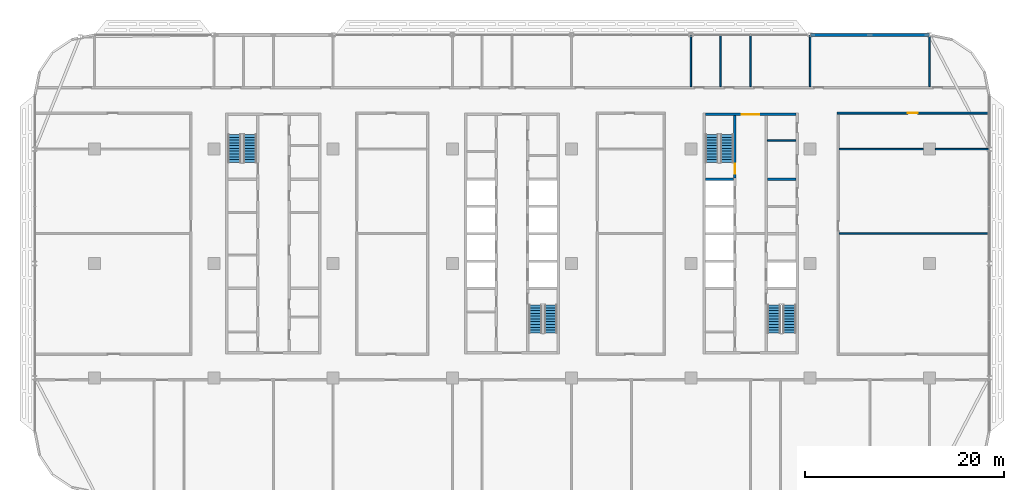
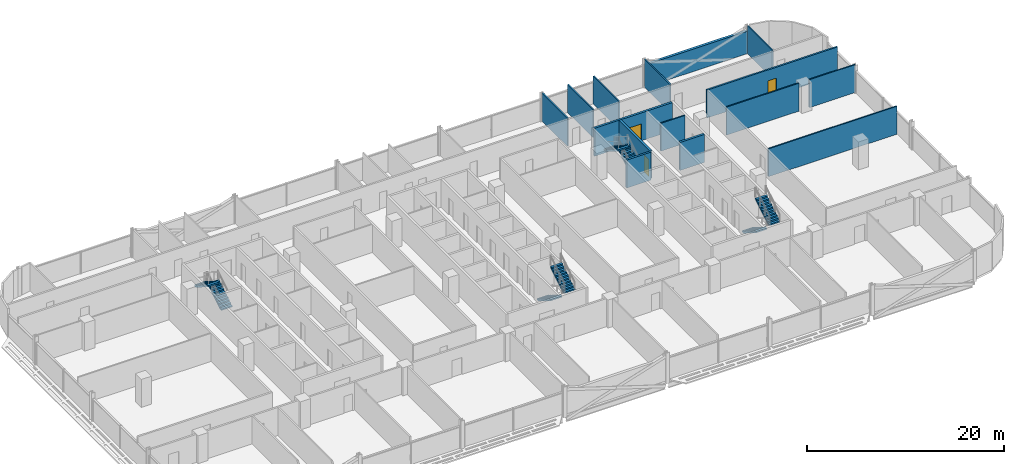
# One storey, part 16 of 27: 15 walls, 8 stair flights, 3 doors, 3 openings, 4 elements without a shape of their own.
"""IFC4 building model written with IfcOpenShell, lengths in metres."""

from ifc_helpers import new_model, si_unit, direction, frame, frame_2d, origin, place, context, subcontext, project, spatial, polyline, rectangle, outline, extrude, material, layer, layer_set, type_object, element, fill, aggregate, save


model = new_model("IFC4")

# Units and contexts
model_context = context("Model", 3, precision=1e-05, world=origin(), true_north=direction((0.0, 1.0)))
body_context = subcontext(model_context, "Body", "Model", "MODEL_VIEW")
ifc_project = project(units=[si_unit("LENGTHUNIT", "METRE"), si_unit("AREAUNIT", "SQUARE_METRE"), si_unit("VOLUMEUNIT", "CUBIC_METRE"), si_unit("PLANEANGLEUNIT", "RADIAN"), si_unit("MASSUNIT", "GRAM", prefix="KILO")], contexts=[model_context])

# Site, building, storey
site_placement = place(None, origin())
site = spatial("IfcSite", under=ifc_project, at=site_placement, CompositionType="ELEMENT")
building_placement = place(site_placement, origin())
building = spatial("IfcBuilding", under=site, at=building_placement, Name="Mahtab Terrace Research Tower", CompositionType="ELEMENT")
storey_placement = place(building_placement, frame((0.0, 0.0, 170.60009765625)))
storey = spatial("IfcBuildingStorey", under=building, at=storey_placement, Name="L40", CompositionType="ELEMENT", Elevation=170.60009765625)

# Wall
ifc_material_1 = material(Name="Gypsum board partition")
ifc_layer_1 = layer(ifc_material_1, 0.14990234375)
ifc_layer_set_1 = layer_set([ifc_layer_1], Name="Core partition 150")
wall_type_1 = type_object("IfcWallType", Name="Core partition 150", PredefinedType="PARTITIONING", material=ifc_layer_set_1)
wall_1_placement = place(storey_placement, frame((25.699951171875, 12.35498046875, 0.0), z_axis=(0.0, 0.0, 1.0), x_axis=(1.0, 0.0, 0.0)))
element("IfcWall", 1, at=wall_1_placement, inside=storey, type_object=wall_type_1, Name="Core wall C pEN936", PredefinedType="PARTITIONING", context=body_context, shape_type="SweptSolid", body=[
    extrude(rectangle(XDim=2.85009765625, YDim=0.14990234375, at=frame_2d((1.425048828125, 0.0))), origin(), (0.0, 0.0, 1.0), 3.4599609375),
])

# Wall, opening, door
ifc_material_2 = material(Name="Concrete C70/85", Category="concrete")
ifc_layer_2 = layer(ifc_material_2, 0.25)
ifc_layer_set_2 = layer_set([ifc_layer_2], Name="Core wall 250")
wall_type_2 = type_object("IfcWallType", Name="Core wall 250", PredefinedType="SOLIDWALL", material=ifc_layer_set_2)
wall_2_placement = place(storey_placement, frame((19.449951171875, 15.0, 0.0), z_axis=(0.0, 0.0, 1.0), x_axis=(1.0, 0.0, 0.0)))
wall_2 = element("IfcWall", 2, at=wall_2_placement, inside=storey, type_object=wall_type_2, Name="Core wall C endN", PredefinedType="SOLIDWALL", context=body_context, shape_type="SweptSolid", body=[
    extrude(rectangle(XDim=9.10009765625, YDim=0.25, at=frame_2d((4.550048828125, 0.0))), origin(), (0.0, 0.0, 1.0), 3.4599609375),
])
opening_1_placement = place(wall_2_placement, frame((3.64990234375, 0.0, 0.0)))
opening_1 = element("IfcOpeningElement", 3, at=opening_1_placement, cuts=wall_2, Name="Opening C-N1", PredefinedType="OPENING", context=body_context, shape_type="SweptSolid", body=[
    extrude(rectangle(XDim=1.800048828125, YDim=2.10009765625, at=frame_2d((0.89990234375, 1.050048828125))), frame((0.0, 0.135009765625, 0.0), z_axis=(0.0, -1.0, 0.0), x_axis=(1.0, 0.0, 0.0)), (0.0, 0.0, 1.0), 0.27001953125),
])
ifc_material_3 = material(Name="Steel fire door", Category="steel")
door_type_1 = type_object("IfcDoorType", Name="Lobby double door 1800x2100 1 HR", OperationType="DOUBLE_DOOR_SINGLE_SWING", PredefinedType="DOOR", material=ifc_material_3)
door_1_placement = place(opening_1_placement, origin())
door_1 = element("IfcDoor", 4, at=door_1_placement, inside=storey, type_object=door_type_1, Name="Core entrance door C N", OperationType="DOUBLE_DOOR_SINGLE_SWING", OverallHeight=2.10009765625, OverallWidth=1.800048828125, PredefinedType="DOOR", context=body_context, shape_type="SweptSolid", body=[
    extrude(rectangle(XDim=1.800048828125, YDim=2.10009765625, at=frame_2d((0.89990234375, 1.050048828125))), frame((0.0, 0.02490234375, 0.0), z_axis=(0.0, -1.0, 0.0), x_axis=(1.0, 0.0, 0.0)), (0.0, 0.0, 1.0), 0.050048828125),
])
fill(opening_1, door_1)

wall_3_placement = place(storey_placement, frame((22.425048828125, 14.875, 0.0), z_axis=(0.0, 0.0, 1.0), x_axis=(0.0, -1.0, 0.0)))
wall_3 = element("IfcWall", 5, at=wall_3_placement, inside=storey, type_object=wall_type_2, Name="Core wall C innerWN", PredefinedType="SOLIDWALL", context=body_context, shape_type="SweptSolid", body=[
    extrude(rectangle(XDim=6.25, YDim=0.25, at=frame_2d((3.125, 0.0))), origin(), (0.0, 0.0, 1.0), 3.4599609375),
])
opening_2_placement = place(wall_3_placement, frame((4.85009765625, 0.0, 0.0)))
opening_2 = element("IfcOpeningElement", 6, at=opening_2_placement, cuts=wall_3, Name="Opening C-ST3", PredefinedType="OPENING", context=body_context, shape_type="SweptSolid", body=[
    extrude(rectangle(XDim=1.0, YDim=2.10009765625, at=frame_2d((0.5, 1.050048828125))), frame((0.0, 0.135009765625, 0.0), z_axis=(0.0, -1.0, 0.0), x_axis=(1.0, 0.0, 0.0)), (0.0, 0.0, 1.0), 0.27001953125),
])
door_type_2 = type_object("IfcDoorType", Name="Stair door 1000x2100 1.5 HR", OperationType="NOTDEFINED", PredefinedType="DOOR", material=ifc_material_3)
door_2_placement = place(opening_2_placement, origin())
door_2 = element("IfcDoor", 7, at=door_2_placement, inside=storey, type_object=door_type_2, Name="Stair door ST3 L40", OperationType="SINGLE_SWING_RIGHT", OverallHeight=2.10009765625, OverallWidth=1.0, PredefinedType="DOOR", context=body_context, shape_type="SweptSolid", body=[
    extrude(rectangle(XDim=1.0, YDim=2.10009765625, at=frame_2d((0.5, 1.050048828125))), frame((0.0, 0.02490234375, 0.0), z_axis=(0.0, -1.0, 0.0), x_axis=(1.0, 0.0, 0.0)), (0.0, 0.0, 1.0), 0.050048828125),
])
fill(opening_2, door_2)

# Walls
for number, where, z_axis, x_axis, name in (
    (8, (19.449951171875, 8.5, 0.0), (0.0, 0.0, 1.0), (1.0, 0.0, 0.0), "Core wall C divW4"),
    (9, (25.699951171875, 8.5, 0.0), (0.0, 0.0, 1.0), (1.0, 0.0, 0.0), "Core wall C divE4"),
):
    element("IfcWall", number, at=place(storey_placement, frame(where, z_axis=z_axis, x_axis=x_axis)), inside=storey, type_object=wall_type_2, Name=name, PredefinedType="SOLIDWALL", context=body_context, shape_type="SweptSolid", body=[
        extrude(rectangle(XDim=2.85009765625, YDim=0.25, at=frame_2d((1.425048828125, 0.0))), origin(), (0.0, 0.0, 1.0), 3.4599609375),
    ])
ifc_material_4 = material(Name="Black aluminium cladding panel", Category="aluminium")
ifc_layer_3 = layer(ifc_material_4, 0.300048828125)
ifc_layer_set_3 = layer_set([ifc_layer_3], Name="Opaque facade wall 300")
wall_type_3 = type_object("IfcWallType", Name="Opaque facade wall 300", PredefinedType="NOTDEFINED", material=ifc_layer_set_3)
wall_4_placement = place(storey_placement, frame((41.985107421875, 23.0, 0.0), z_axis=(0.0, 0.0, 1.0), x_axis=(-1.0, 0.0, 0.0)))
element("IfcWall", 10, at=wall_4_placement, inside=storey, type_object=wall_type_3, Name="Opaque facade wall L40 N3", PredefinedType="NOTDEFINED", context=body_context, shape_type="SweptSolid", body=[
    extrude(rectangle(XDim=11.97021484375, YDim=0.300048828125, at=frame_2d((5.985107421875, 0.0))), origin(), (0.0, 0.0, 1.0), 2.78173828125),
])

# Wall, opening, door
ifc_material_5 = material(Name="Gypsum board corridor wall on steel studs", Category="steel")
ifc_layer_4 = layer(ifc_material_5, 0.199951171875)
ifc_layer_set_4 = layer_set([ifc_layer_4], Name="WALL CORRIDOR 200")
wall_type_4 = type_object("IfcWallType", Name="WALL CORRIDOR 200", PredefinedType="PARTITIONING", material=ifc_layer_set_4)
wall_5_placement = place(storey_placement, frame((32.699951171875, 15.125, 0.0), z_axis=(0.0, 0.0, 1.0), x_axis=(1.0, 0.0, 0.0)))
wall_5 = element("IfcWall", 11, at=wall_5_placement, inside=storey, type_object=wall_type_4, Name="L40-W027", PredefinedType="PARTITIONING", context=body_context, shape_type="SweptSolid", body=[
    extrude(rectangle(XDim=15.275146484375, YDim=0.199951171875, at=frame_2d((7.6376953125, 0.0))), origin(), (0.0, 0.0, 1.0), 3.4599609375),
])
opening_3_placement = place(wall_5_placement, frame((7.10009765625, 0.0, 0.0)))
opening_3 = element("IfcOpeningElement", 12, at=opening_3_placement, cuts=wall_5, Name="Opening L40-125", PredefinedType="OPENING", context=body_context, shape_type="SweptSolid", body=[
    extrude(rectangle(XDim=1.0, YDim=2.10009765625, at=frame_2d((0.5, 1.050048828125))), frame((0.0, 0.10986328125, 0.0), z_axis=(0.0, -1.0, 0.0), x_axis=(1.0, 0.0, 0.0)), (0.0, 0.0, 1.0), 0.219970703125),
])
ifc_material_6 = material(Name="Timber door leaf in steel frame", Category="steel")
door_type_3 = type_object("IfcDoorType", Name="DOOR 1000X2100 FD30S", OperationType="SINGLE_SWING_LEFT", PredefinedType="DOOR", material=ifc_material_6)
door_3_placement = place(opening_3_placement, origin())
door_3 = element("IfcDoor", 13, at=door_3_placement, inside=storey, type_object=door_type_3, Name="Door L40-125", OperationType="SINGLE_SWING_LEFT", OverallHeight=2.10009765625, OverallWidth=1.0, PredefinedType="DOOR", context=body_context, shape_type="SweptSolid", body=[
    extrude(rectangle(XDim=1.0, YDim=2.10009765625, at=frame_2d((0.5, 1.050048828125))), frame((0.0, 0.02490234375, 0.0), z_axis=(0.0, -1.0, 0.0), x_axis=(1.0, 0.0, 0.0)), (0.0, 0.0, 1.0), 0.050048828125),
])
fill(opening_3, door_3)

# Walls
ifc_material_7 = material(Name="Gypsum board partition on steel studs", Category="steel")
ifc_layer_5 = layer(ifc_material_7, 0.14990234375)
ifc_layer_set_5 = layer_set([ifc_layer_5], Name="WALL PARTITION 150")
wall_type_5 = type_object("IfcWallType", Name="WALL PARTITION 150", PredefinedType="PARTITIONING", material=ifc_layer_set_5)
wall_6_placement = place(storey_placement, frame((32.89990234375, 3.0, 0.0), z_axis=(0.0, 0.0, 1.0), x_axis=(1.0, 0.0, 0.0)))
element("IfcWall", 14, at=wall_6_placement, inside=storey, type_object=wall_type_5, Name="L40-W017", PredefinedType="PARTITIONING", context=body_context, shape_type="SweptSolid", body=[
    extrude(rectangle(XDim=15.0751953125, YDim=0.14990234375, at=frame_2d((7.53759765625, 0.0))), origin(), (0.0, 0.0, 1.0), 3.4599609375),
])
wall_7_placement = place(storey_placement, frame((32.89990234375, 11.5, 0.0), z_axis=(0.0, 0.0, 1.0), x_axis=(1.0, 0.0, 0.0)))
element("IfcWall", 15, at=wall_7_placement, inside=storey, type_object=wall_type_5, Name="L40-W022", PredefinedType="PARTITIONING", context=body_context, shape_type="SweptSolid", body=[
    extrude(rectangle(XDim=8.5, YDim=0.14990234375, at=frame_2d((4.25, 0.0))), origin(), (0.0, 0.0, 1.0), 3.4599609375),
])
wall_8_placement = place(storey_placement, frame((42.60009765625, 11.5, 0.0), z_axis=(0.0, 0.0, 1.0), x_axis=(1.0, 0.0, 0.0)))
element("IfcWall", 16, at=wall_8_placement, inside=storey, type_object=wall_type_5, Name="L40-W023", PredefinedType="PARTITIONING", context=body_context, shape_type="SweptSolid", body=[
    extrude(rectangle(XDim=5.375, YDim=0.14990234375, at=frame_2d((2.6875, 0.0))), origin(), (0.0, 0.0, 1.0), 3.4599609375),
])
for number, where, z_axis, x_axis, name in (
    (17, (18.0, 17.800048828125, 0.0), (0.0, 0.0, 1.0), (0.0, 1.0, 0.0), "L40-W051"),
    (18, (21.0, 17.800048828125, 0.0), (0.0, 0.0, 1.0), (0.0, 1.0, 0.0), "L40-W052"),
    (19, (24.0, 17.800048828125, 0.0), (0.0, 0.0, 1.0), (0.0, 1.0, 0.0), "L40-W054"),
    (20, (30.0, 17.800048828125, 0.0), (0.0, 0.0, 1.0), (0.0, 1.0, 0.0), "L40-W056"),
):
    element("IfcWall", number, at=place(storey_placement, frame(where, z_axis=z_axis, x_axis=x_axis)), inside=storey, type_object=wall_type_5, Name=name, PredefinedType="PARTITIONING", context=body_context, shape_type="SweptSolid", body=[
        extrude(rectangle(XDim=5.175048828125, YDim=0.14990234375, at=frame_2d((2.58740234375, 0.0))), origin(), (0.0, 0.0, 1.0), 3.4599609375),
    ])
wall_9_placement = place(storey_placement, frame((42.0, 17.800048828125, 0.0), z_axis=(0.0, 0.0, 1.0), x_axis=(0.0, 1.0, 0.0)))
element("IfcWall", 21, at=wall_9_placement, inside=storey, type_object=wall_type_5, Name="L40-W060", PredefinedType="PARTITIONING", context=body_context, shape_type="SweptSolid", body=[
    extrude(rectangle(XDim=5.047119140625, YDim=0.14990234375, at=frame_2d((2.5234375, 0.0))), origin(), (0.0, 0.0, 1.0), 3.4599609375),
])

# Stair, stair flights
ifc_material_8 = material(Name="Exit stair half-turn")
stair_type = type_object("IfcStairType", Name="Exit stair half-turn", PredefinedType="HALF_TURN_STAIR", material=ifc_material_8)
stair_1_placement = place(storey_placement, origin())
stair_1 = element("IfcStair", 22, at=stair_1_placement, inside=storey, type_object=stair_type, Name="L40 Protected exit stair ST1", PredefinedType="HALF_TURN_STAIR")
ifc_material_9 = material(Name="Concrete C40/50", Category="concrete")
stair_flight_type = type_object("IfcStairFlightType", Name="Exit stair flight 1300", PredefinedType="STRAIGHT", material=ifc_material_9)
stair_flight_1_placement = place(storey_placement, frame((-26.35009765625, 10.175048828125, 0.0), z_axis=(0.0, 0.0, 1.0), x_axis=(0.0, 1.0, 0.0)))
stair_flight_1 = element("IfcStairFlight", 23, at=stair_flight_1_placement, type_object=stair_flight_type, Name="ST1 flight 1", NumberOfRisers=11, NumberOfTreads=10, PredefinedType="STRAIGHT", RiserHeight=0.172727273, TreadLength=0.28, context=body_context, shape_type="SweptSolid", body=[
    extrude(outline(polyline([(0.0, 0.0), (0.0, 0.172607421875), (0.280029296875, 0.172607421875), (0.280029296875, 0.345458984375), (0.56005859375, 0.345458984375), (0.56005859375, 0.51806640625), (0.840087890625, 0.51806640625), (0.840087890625, 0.69091796875), (1.1201171875, 0.69091796875), (1.1201171875, 0.863525390625), (1.39990234375, 0.863525390625), (1.39990234375, 1.036376953125), (1.679931640625, 1.036376953125), (1.679931640625, 1.208984375), (1.9599609375, 1.208984375), (1.9599609375, 1.3818359375), (2.239990234375, 1.3818359375), (2.239990234375, 1.554443359375), (2.52001953125, 1.554443359375), (2.52001953125, 1.727294921875), (2.800048828125, 1.727294921875), (2.800048828125, 1.89990234375), (2.800048828125, 1.551025390625), (0.285400390625, 0.0), (0.0, 0.0)])), frame((0.0, 0.64990234375, 0.0), z_axis=(0.0, -1.0, 0.0), x_axis=(1.0, 0.0, 0.0)), (0.0, 0.0, 1.0), 1.300048828125),
])
stair_flight_2_placement = place(storey_placement, frame((-27.89990234375, 12.97509765625, 1.89990234375), z_axis=(0.0, 0.0, 1.0), x_axis=(0.0, -1.0, 0.0)))
stair_flight_2 = element("IfcStairFlight", 24, at=stair_flight_2_placement, type_object=stair_flight_type, Name="ST1 flight 2", NumberOfRisers=11, NumberOfTreads=10, PredefinedType="STRAIGHT", RiserHeight=0.172727273, TreadLength=0.28, context=body_context, shape_type="SweptSolid", body=[
    extrude(outline(polyline([(0.0, 0.0), (0.0, 0.172607421875), (0.280029296875, 0.172607421875), (0.280029296875, 0.345458984375), (0.56005859375, 0.345458984375), (0.56005859375, 0.51806640625), (0.840087890625, 0.51806640625), (0.840087890625, 0.69091796875), (1.1201171875, 0.69091796875), (1.1201171875, 0.863525390625), (1.39990234375, 0.863525390625), (1.39990234375, 1.036376953125), (1.679931640625, 1.036376953125), (1.679931640625, 1.208984375), (1.9599609375, 1.208984375), (1.9599609375, 1.3818359375), (2.239990234375, 1.3818359375), (2.239990234375, 1.554443359375), (2.52001953125, 1.554443359375), (2.52001953125, 1.727294921875), (2.800048828125, 1.727294921875), (2.800048828125, 1.89990234375), (2.800048828125, 1.551025390625), (0.285400390625, 0.0), (0.0, 0.0)])), frame((0.0, 0.64990234375, 0.0), z_axis=(0.0, -1.0, 0.0), x_axis=(1.0, 0.0, 0.0)), (0.0, 0.0, 1.0), 1.300048828125),
])
aggregate(stair_1, [stair_flight_1, stair_flight_2])

stair_2_placement = place(storey_placement, origin())
stair_2 = element("IfcStair", 25, at=stair_2_placement, inside=storey, type_object=stair_type, Name="L40 Protected exit stair ST2", PredefinedType="HALF_TURN_STAIR")
stair_flight_3_placement = place(storey_placement, frame((2.35009765625, -4.175048828125, 0.0), z_axis=(0.0, 0.0, 1.0), x_axis=(0.0, -1.0, 0.0)))
stair_flight_3 = element("IfcStairFlight", 26, at=stair_flight_3_placement, type_object=stair_flight_type, Name="ST2 flight 1", NumberOfRisers=11, NumberOfTreads=10, PredefinedType="STRAIGHT", RiserHeight=0.172727273, TreadLength=0.28, context=body_context, shape_type="SweptSolid", body=[
    extrude(outline(polyline([(0.0, 0.0), (0.0, 0.172607421875), (0.280029296875, 0.172607421875), (0.280029296875, 0.345458984375), (0.56005859375, 0.345458984375), (0.56005859375, 0.51806640625), (0.840087890625, 0.51806640625), (0.840087890625, 0.69091796875), (1.1201171875, 0.69091796875), (1.1201171875, 0.863525390625), (1.39990234375, 0.863525390625), (1.39990234375, 1.036376953125), (1.679931640625, 1.036376953125), (1.679931640625, 1.208984375), (1.9599609375, 1.208984375), (1.9599609375, 1.3818359375), (2.239990234375, 1.3818359375), (2.239990234375, 1.554443359375), (2.52001953125, 1.554443359375), (2.52001953125, 1.727294921875), (2.800048828125, 1.727294921875), (2.800048828125, 1.89990234375), (2.800048828125, 1.551025390625), (0.285400390625, 0.0), (0.0, 0.0)])), frame((0.0, 0.64990234375, 0.0), z_axis=(0.0, -1.0, 0.0), x_axis=(1.0, 0.0, 0.0)), (0.0, 0.0, 1.0), 1.300048828125),
])
stair_flight_4_placement = place(storey_placement, frame((3.89990234375, -6.97509765625, 1.89990234375), z_axis=(0.0, 0.0, 1.0), x_axis=(0.0, 1.0, 0.0)))
stair_flight_4 = element("IfcStairFlight", 27, at=stair_flight_4_placement, type_object=stair_flight_type, Name="ST2 flight 2", NumberOfRisers=11, NumberOfTreads=10, PredefinedType="STRAIGHT", RiserHeight=0.172727273, TreadLength=0.28, context=body_context, shape_type="SweptSolid", body=[
    extrude(outline(polyline([(0.0, 0.0), (0.0, 0.172607421875), (0.280029296875, 0.172607421875), (0.280029296875, 0.345458984375), (0.56005859375, 0.345458984375), (0.56005859375, 0.51806640625), (0.840087890625, 0.51806640625), (0.840087890625, 0.69091796875), (1.1201171875, 0.69091796875), (1.1201171875, 0.863525390625), (1.39990234375, 0.863525390625), (1.39990234375, 1.036376953125), (1.679931640625, 1.036376953125), (1.679931640625, 1.208984375), (1.9599609375, 1.208984375), (1.9599609375, 1.3818359375), (2.239990234375, 1.3818359375), (2.239990234375, 1.554443359375), (2.52001953125, 1.554443359375), (2.52001953125, 1.727294921875), (2.800048828125, 1.727294921875), (2.800048828125, 1.89990234375), (2.800048828125, 1.551025390625), (0.285400390625, 0.0), (0.0, 0.0)])), frame((0.0, 0.64990234375, 0.0), z_axis=(0.0, -1.0, 0.0), x_axis=(1.0, 0.0, 0.0)), (0.0, 0.0, 1.0), 1.300048828125),
])
aggregate(stair_2, [stair_flight_3, stair_flight_4])

stair_3_placement = place(storey_placement, origin())
stair_3 = element("IfcStair", 28, at=stair_3_placement, inside=storey, type_object=stair_type, Name="L40 Protected exit stair ST3", PredefinedType="HALF_TURN_STAIR")
stair_flight_5_placement = place(storey_placement, frame((21.64990234375, 10.175048828125, 0.0), z_axis=(0.0, 0.0, 1.0), x_axis=(0.0, 1.0, 0.0)))
stair_flight_5 = element("IfcStairFlight", 29, at=stair_flight_5_placement, type_object=stair_flight_type, Name="ST3 flight 1", NumberOfRisers=11, NumberOfTreads=10, PredefinedType="STRAIGHT", RiserHeight=0.172727273, TreadLength=0.28, context=body_context, shape_type="SweptSolid", body=[
    extrude(outline(polyline([(0.0, 0.0), (0.0, 0.172607421875), (0.280029296875, 0.172607421875), (0.280029296875, 0.345458984375), (0.56005859375, 0.345458984375), (0.56005859375, 0.51806640625), (0.840087890625, 0.51806640625), (0.840087890625, 0.69091796875), (1.1201171875, 0.69091796875), (1.1201171875, 0.863525390625), (1.39990234375, 0.863525390625), (1.39990234375, 1.036376953125), (1.679931640625, 1.036376953125), (1.679931640625, 1.208984375), (1.9599609375, 1.208984375), (1.9599609375, 1.3818359375), (2.239990234375, 1.3818359375), (2.239990234375, 1.554443359375), (2.52001953125, 1.554443359375), (2.52001953125, 1.727294921875), (2.800048828125, 1.727294921875), (2.800048828125, 1.89990234375), (2.800048828125, 1.551025390625), (0.285400390625, 0.0), (0.0, 0.0)])), frame((0.0, 0.64990234375, 0.0), z_axis=(0.0, -1.0, 0.0), x_axis=(1.0, 0.0, 0.0)), (0.0, 0.0, 1.0), 1.300048828125),
])
stair_flight_6_placement = place(storey_placement, frame((20.10009765625, 12.97509765625, 1.89990234375), z_axis=(0.0, 0.0, 1.0), x_axis=(0.0, -1.0, 0.0)))
stair_flight_6 = element("IfcStairFlight", 30, at=stair_flight_6_placement, type_object=stair_flight_type, Name="ST3 flight 2", NumberOfRisers=11, NumberOfTreads=10, PredefinedType="STRAIGHT", RiserHeight=0.172727273, TreadLength=0.28, context=body_context, shape_type="SweptSolid", body=[
    extrude(outline(polyline([(0.0, 0.0), (0.0, 0.172607421875), (0.280029296875, 0.172607421875), (0.280029296875, 0.345458984375), (0.56005859375, 0.345458984375), (0.56005859375, 0.51806640625), (0.840087890625, 0.51806640625), (0.840087890625, 0.69091796875), (1.1201171875, 0.69091796875), (1.1201171875, 0.863525390625), (1.39990234375, 0.863525390625), (1.39990234375, 1.036376953125), (1.679931640625, 1.036376953125), (1.679931640625, 1.208984375), (1.9599609375, 1.208984375), (1.9599609375, 1.3818359375), (2.239990234375, 1.3818359375), (2.239990234375, 1.554443359375), (2.52001953125, 1.554443359375), (2.52001953125, 1.727294921875), (2.800048828125, 1.727294921875), (2.800048828125, 1.89990234375), (2.800048828125, 1.551025390625), (0.285400390625, 0.0), (0.0, 0.0)])), frame((0.0, 0.64990234375, 0.0), z_axis=(0.0, -1.0, 0.0), x_axis=(1.0, 0.0, 0.0)), (0.0, 0.0, 1.0), 1.300048828125),
])
aggregate(stair_3, [stair_flight_5, stair_flight_6])

stair_4_placement = place(storey_placement, origin())
stair_4 = element("IfcStair", 31, at=stair_4_placement, inside=storey, type_object=stair_type, Name="L40 Protected exit stair ST4", PredefinedType="HALF_TURN_STAIR")
stair_flight_7_placement = place(storey_placement, frame((26.35009765625, -4.175048828125, 0.0), z_axis=(0.0, 0.0, 1.0), x_axis=(0.0, -1.0, 0.0)))
stair_flight_7 = element("IfcStairFlight", 32, at=stair_flight_7_placement, type_object=stair_flight_type, Name="ST4 flight 1", NumberOfRisers=11, NumberOfTreads=10, PredefinedType="STRAIGHT", RiserHeight=0.172727273, TreadLength=0.28, context=body_context, shape_type="SweptSolid", body=[
    extrude(outline(polyline([(0.0, 0.0), (0.0, 0.172607421875), (0.280029296875, 0.172607421875), (0.280029296875, 0.345458984375), (0.56005859375, 0.345458984375), (0.56005859375, 0.51806640625), (0.840087890625, 0.51806640625), (0.840087890625, 0.69091796875), (1.1201171875, 0.69091796875), (1.1201171875, 0.863525390625), (1.39990234375, 0.863525390625), (1.39990234375, 1.036376953125), (1.679931640625, 1.036376953125), (1.679931640625, 1.208984375), (1.9599609375, 1.208984375), (1.9599609375, 1.3818359375), (2.239990234375, 1.3818359375), (2.239990234375, 1.554443359375), (2.52001953125, 1.554443359375), (2.52001953125, 1.727294921875), (2.800048828125, 1.727294921875), (2.800048828125, 1.89990234375), (2.800048828125, 1.551025390625), (0.285400390625, 0.0), (0.0, 0.0)])), frame((0.0, 0.64990234375, 0.0), z_axis=(0.0, -1.0, 0.0), x_axis=(1.0, 0.0, 0.0)), (0.0, 0.0, 1.0), 1.300048828125),
])
stair_flight_8_placement = place(storey_placement, frame((27.89990234375, -6.97509765625, 1.89990234375), z_axis=(0.0, 0.0, 1.0), x_axis=(0.0, 1.0, 0.0)))
stair_flight_8 = element("IfcStairFlight", 33, at=stair_flight_8_placement, type_object=stair_flight_type, Name="ST4 flight 2", NumberOfRisers=11, NumberOfTreads=10, PredefinedType="STRAIGHT", RiserHeight=0.172727273, TreadLength=0.28, context=body_context, shape_type="SweptSolid", body=[
    extrude(outline(polyline([(0.0, 0.0), (0.0, 0.172607421875), (0.280029296875, 0.172607421875), (0.280029296875, 0.345458984375), (0.56005859375, 0.345458984375), (0.56005859375, 0.51806640625), (0.840087890625, 0.51806640625), (0.840087890625, 0.69091796875), (1.1201171875, 0.69091796875), (1.1201171875, 0.863525390625), (1.39990234375, 0.863525390625), (1.39990234375, 1.036376953125), (1.679931640625, 1.036376953125), (1.679931640625, 1.208984375), (1.9599609375, 1.208984375), (1.9599609375, 1.3818359375), (2.239990234375, 1.3818359375), (2.239990234375, 1.554443359375), (2.52001953125, 1.554443359375), (2.52001953125, 1.727294921875), (2.800048828125, 1.727294921875), (2.800048828125, 1.89990234375), (2.800048828125, 1.551025390625), (0.285400390625, 0.0), (0.0, 0.0)])), frame((0.0, 0.64990234375, 0.0), z_axis=(0.0, -1.0, 0.0), x_axis=(1.0, 0.0, 0.0)), (0.0, 0.0, 1.0), 1.300048828125),
])
aggregate(stair_4, [stair_flight_7, stair_flight_8])

save(model, "model.ifc")
